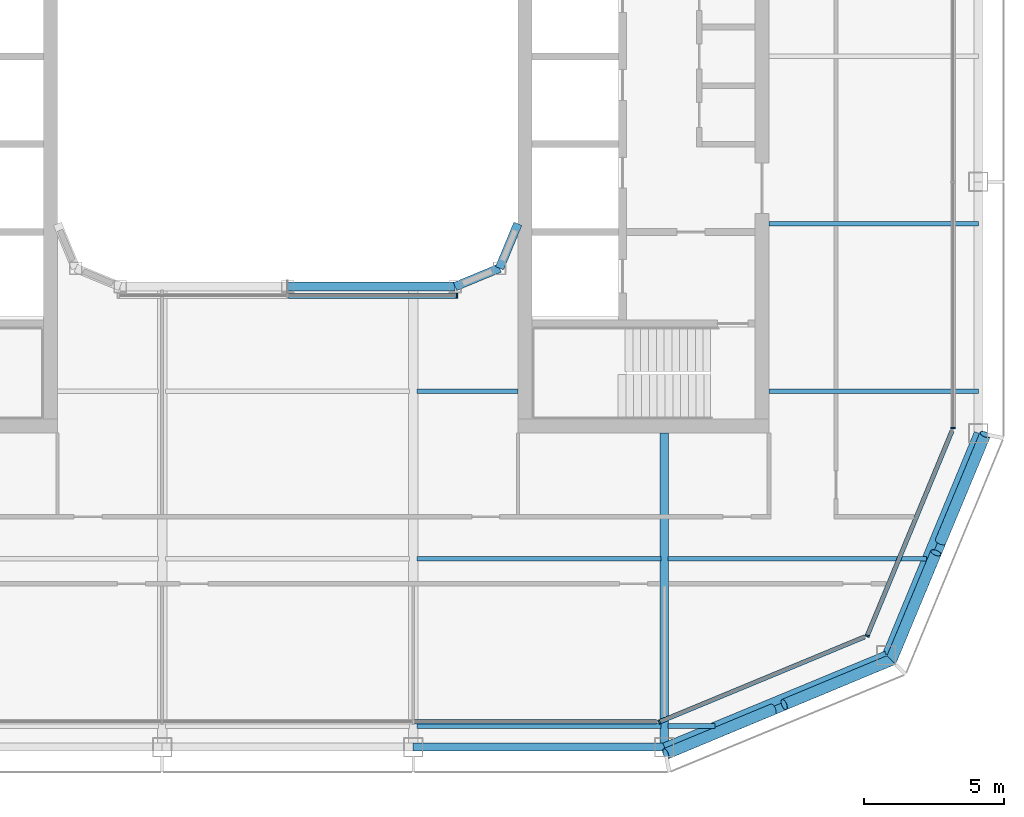
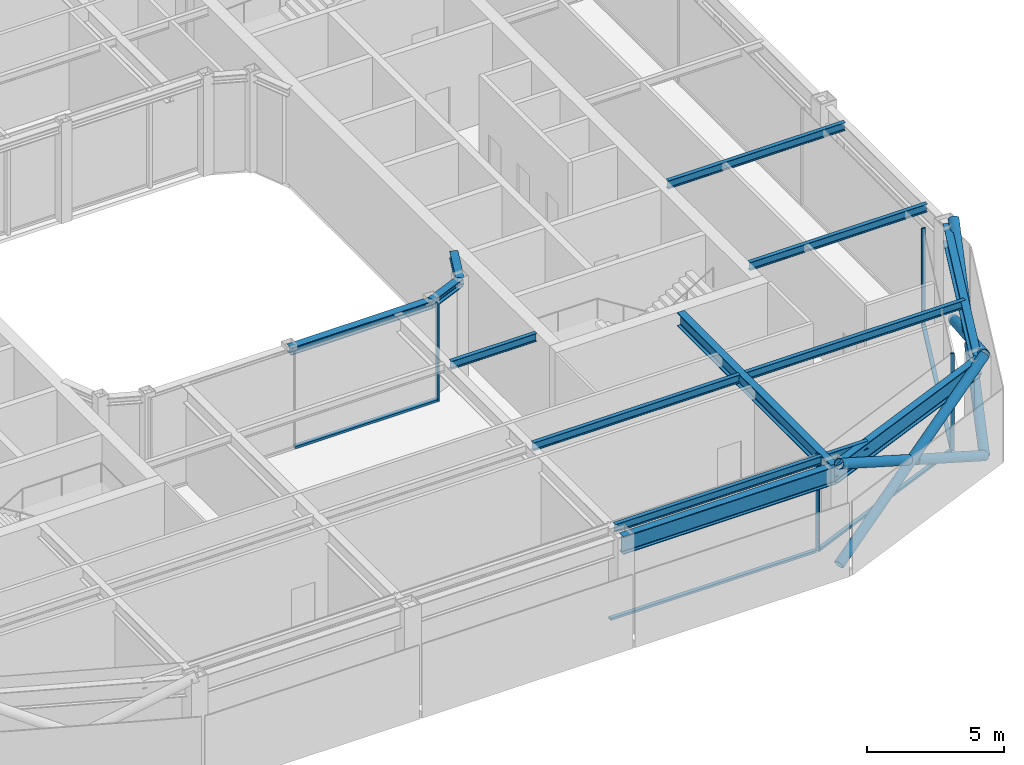
# One storey, part 5 of 18: 14 beams, 14 members, 5 elements without a shape of their own.
"""IFC4 building model written with IfcOpenShell, lengths in metres."""

from ifc_helpers import new_model, si_unit, direction, frame, origin, origin_2d, place, context, subcontext, project, spatial, rectangle, hollow_circle, i_section, extrude, material, layer, layer_set, material_profile, profile_set, type_object, element, aggregate, save


model = new_model("IFC4")

# Units and contexts
model_context = context("Model", 3, precision=1e-05, world=origin(), true_north=direction((0.0, 1.0)))
body_context = subcontext(model_context, "Body", "Model", "MODEL_VIEW")
ifc_project = project(units=[si_unit("LENGTHUNIT", "METRE"), si_unit("AREAUNIT", "SQUARE_METRE"), si_unit("VOLUMEUNIT", "CUBIC_METRE"), si_unit("PLANEANGLEUNIT", "RADIAN"), si_unit("MASSUNIT", "GRAM", prefix="KILO")], contexts=[model_context])

# Site, building, storey
site_placement = place(None, origin())
site = spatial("IfcSite", under=ifc_project, at=site_placement, CompositionType="ELEMENT")
building_placement = place(site_placement, origin())
building = spatial("IfcBuilding", under=site, at=building_placement, Name="Siwar Civic Tower", CompositionType="ELEMENT")
storey_placement = place(building_placement, frame((0.0, 0.0, 321.199951171875)))
storey = spatial("IfcBuildingStorey", under=building, at=storey_placement, Name="L69", CompositionType="ELEMENT", Elevation=321.199951171875)

# Curtain wall, member
ifc_material_1 = material(Name="Aluminium clad insulated panel", Category="aluminium")
ifc_layer_1 = layer(ifc_material_1, 0.159912109375)
ifc_layer_set_1 = layer_set([ifc_layer_1], Name="Aluminium clad insulated panel")
curtain_wall_type_1 = type_object("IfcCurtainWallType", Name="ENV-CW-DX", PredefinedType="NOTDEFINED", material=ifc_layer_set_1)
curtain_wall_1_placement = place(storey_placement, origin())
curtain_wall_1 = element("IfcCurtainWall", 1, at=curtain_wall_1_placement, inside=storey, type_object=curtain_wall_type_1, Name="Curtain wall D SE1", PredefinedType="NOTDEFINED")
ifc_material_2 = material(Name="Aluminium 6063-T6", Category="aluminium")
ifc_material_profile_1 = material_profile(ifc_material_2, rectangle(XDim=0.159912109375, YDim=0.06005859375, at=origin_2d()), Name="AL 160x60")
ifc_profile_set_1 = profile_set([ifc_material_profile_1], Name="Aluminium 6063-T6")
member_type_1 = type_object("IfcMemberType", Name="ENV-MULLION-D", PredefinedType="MULLION", material=ifc_profile_set_1)
member_1_placement = place(storey_placement, frame((13.321044921875, -23.85009765625, 0.0), z_axis=(0.0, 0.0, 1.0), x_axis=(-0.382683432365, 0.923879532511, 0.0)))
member_1 = element("IfcMember", 2, at=member_1_placement, type_object=member_type_1, Name="Mullion D SE1 1", PredefinedType="MULLION", context=body_context, shape_type="SweptSolid", body=[
    extrude(rectangle(XDim=0.159912109375, YDim=0.06005859375, at=origin_2d()), origin(), (0.0, 0.0, 1.0), 4.35009765625),
])

curtain_wall_2_placement = place(storey_placement, origin())
curtain_wall_2 = element("IfcCurtainWall", 3, at=curtain_wall_2_placement, inside=storey, type_object=curtain_wall_type_1, Name="Curtain wall D SE2", PredefinedType="NOTDEFINED")
member_2_placement = place(storey_placement, frame((20.76611328125, -20.76611328125, 0.0), z_axis=(0.0, 0.0, 1.0), x_axis=(-0.923879532511, 0.382683432365, 0.0)))
member_2 = element("IfcMember", 4, at=member_2_placement, type_object=member_type_1, Name="Mullion D SE2 1", PredefinedType="MULLION", context=body_context, shape_type="SweptSolid", body=[
    extrude(rectangle(XDim=0.159912109375, YDim=0.06005859375, at=origin_2d()), origin(), (0.0, 0.0, 1.0), 4.35009765625),
])

ifc_material_3 = material(Name="Aluminium and glass", Category="aluminium")
ifc_layer_2 = layer(ifc_material_3, 0.159912109375)
ifc_layer_set_2 = layer_set([ifc_layer_2], Name="Aluminium and glass")
curtain_wall_type_2 = type_object("IfcCurtainWallType", Name="ENV-CW-D", PredefinedType="NOTDEFINED", material=ifc_layer_set_2)
curtain_wall_3_placement = place(storey_placement, origin())
curtain_wall_3 = element("IfcCurtainWall", 5, at=curtain_wall_3_placement, inside=storey, type_object=curtain_wall_type_2, Name="Curtain wall D E", PredefinedType="NOTDEFINED")
member_3_placement = place(storey_placement, frame((23.85009765625, -13.321044921875, 0.0), z_axis=(0.0, 0.0, 1.0), x_axis=(-1.0, 0.0, 0.0)))
member_3 = element("IfcMember", 6, at=member_3_placement, type_object=member_type_1, Name="Mullion D E 1", PredefinedType="MULLION", context=body_context, shape_type="SweptSolid", body=[
    extrude(rectangle(XDim=0.159912109375, YDim=0.06005859375, at=origin_2d()), origin(), (0.0, 0.0, 1.0), 4.35009765625),
])
aggregate(curtain_wall_3, [member_3])

ifc_material_4 = material(Name="Aluminium and glass", Category="aluminium")
ifc_layer_3 = layer(ifc_material_4, 0.179931640625)
ifc_layer_set_3 = layer_set([ifc_layer_3], Name="Aluminium and glass")
curtain_wall_type_3 = type_object("IfcCurtainWallType", Name="ENV-CW-W", PredefinedType="NOTDEFINED", material=ifc_layer_set_3)
curtain_wall_4_placement = place(storey_placement, origin())
curtain_wall_4 = element("IfcCurtainWall", 7, at=curtain_wall_4_placement, inside=storey, type_object=curtain_wall_type_3, Name="Curtain wall W WS", PredefinedType="NOTDEFINED")
ifc_material_5 = material(Name="Aluminium 6063-T6", Category="aluminium")
ifc_material_profile_2 = material_profile(ifc_material_5, rectangle(XDim=0.179931640625, YDim=0.06005859375, at=origin_2d()), Name="AL 180x60")
ifc_profile_set_2 = profile_set([ifc_material_profile_2], Name="Aluminium 6063-T6")
member_type_2 = type_object("IfcMemberType", Name="ENV-MULLION-W", PredefinedType="MULLION", material=ifc_profile_set_2)
member_4_placement = place(storey_placement, frame((6.066650390625, -8.5849609375, 0.0), z_axis=(0.0, 0.0, 1.0), x_axis=(0.0, 1.0, 0.0)))
member_4 = element("IfcMember", 8, at=member_4_placement, type_object=member_type_2, Name="Mullion W WS 3", PredefinedType="MULLION", context=body_context, shape_type="SweptSolid", body=[
    extrude(rectangle(XDim=0.179931640625, YDim=0.06005859375, at=origin_2d()), origin(), (0.0, 0.0, 1.0), 4.35009765625),
])

curtain_wall_5_placement = place(storey_placement, origin())
curtain_wall_5 = element("IfcCurtainWall", 9, at=curtain_wall_5_placement, inside=storey, type_object=curtain_wall_type_2, Name="Curtain wall D S", PredefinedType="NOTDEFINED")
ifc_material_6 = material(Name="Aluminium 6063-T6", Category="aluminium")
ifc_material_profile_3 = material_profile(ifc_material_6, rectangle(XDim=0.159912109375, YDim=0.10009765625, at=origin_2d()), Name="AL 160x100")
ifc_profile_set_3 = profile_set([ifc_material_profile_3], Name="Aluminium 6063-T6")
member_type_3 = type_object("IfcMemberType", Name="ENV-TRANSOM-D", PredefinedType="USERDEFINED", material=ifc_profile_set_3)
member_5_placement = place(storey_placement, frame((4.530029296875, -23.85009765625, 0.050048828125), z_axis=(1.0, 0.0, 0.0), x_axis=(0.0, 1.0, 0.0)))
member_5 = element("IfcMember", 10, at=member_5_placement, type_object=member_type_3, Name="Transom D S 3", ObjectType="TRANSOM", PredefinedType="USERDEFINED", context=body_context, shape_type="SweptSolid", body=[
    extrude(rectangle(XDim=0.159912109375, YDim=0.10009765625, at=origin_2d()), origin(), (0.0, 0.0, 1.0), 8.693115234375),
])
aggregate(curtain_wall_5, [member_5])

# Member
member_6_placement = place(storey_placement, frame((13.3486328125, -23.838623046875, 0.050048828125), z_axis=(0.923872756612, 0.382699790424, 0.0), x_axis=(-0.382699790424, 0.923872756612, 0.0)))
member_6 = element("IfcMember", 11, at=member_6_placement, type_object=member_type_3, Name="Transom D SE1 1", ObjectType="TRANSOM", PredefinedType="USERDEFINED", context=body_context, shape_type="SweptSolid", body=[
    extrude(rectangle(XDim=0.159912109375, YDim=0.10009765625, at=origin_2d()), origin(), (0.0, 0.0, 1.0), 7.930908203125),
])

aggregate(curtain_wall_1, [member_1, member_6])

member_7_placement = place(storey_placement, frame((20.777587890625, -20.738525390625, 0.050048828125), z_axis=(0.382673515031, 0.923883640343, 0.0), x_axis=(-0.923883640343, 0.382673515031, 0.0)))
member_7 = element("IfcMember", 12, at=member_7_placement, type_object=member_type_3, Name="Transom D SE2 1", ObjectType="TRANSOM", PredefinedType="USERDEFINED", context=body_context, shape_type="SweptSolid", body=[
    extrude(rectangle(XDim=0.159912109375, YDim=0.10009765625, at=origin_2d()), origin(), (0.0, 0.0, 1.0), 7.930908203125),
])

aggregate(curtain_wall_2, [member_2, member_7])

ifc_material_7 = material(Name="Aluminium 6063-T6", Category="aluminium")
ifc_material_profile_4 = material_profile(ifc_material_7, rectangle(XDim=0.179931640625, YDim=0.10009765625, at=origin_2d()), Name="AL 180x100")
ifc_profile_set_4 = profile_set([ifc_material_profile_4], Name="Aluminium 6063-T6")
member_type_4 = type_object("IfcMemberType", Name="ENV-TRANSOM-W", PredefinedType="USERDEFINED", material=ifc_profile_set_4)
member_8_placement = place(storey_placement, frame((0.030029296875, -8.5849609375, 0.050048828125), z_axis=(1.0, 0.0, 0.0), x_axis=(0.0, 1.0, 0.0)))
member_8 = element("IfcMember", 13, at=member_8_placement, type_object=member_type_4, Name="Transom W WS 2", ObjectType="TRANSOM", PredefinedType="USERDEFINED", context=body_context, shape_type="SweptSolid", body=[
    extrude(rectangle(XDim=0.179931640625, YDim=0.10009765625, at=origin_2d()), origin(), (0.0, 0.0, 1.0), 6.006591796875),
])

aggregate(curtain_wall_4, [member_4, member_8])

# Members
ifc_material_8 = material(Name="Steel S355", Category="steel")
ifc_material_profile_5 = material_profile(ifc_material_8, hollow_circle(Radius=0.203125, WallThickness=0.01611328125, at=origin_2d()), Name="CHS406.4x16")
ifc_profile_set_5 = profile_set([ifc_material_profile_5], Name="Steel S355")
member_type_5 = type_object("IfcMemberType", Name="STR-BR-CHS406.4x16", PredefinedType="BRACE", material=ifc_profile_set_5)
member_9_placement = place(storey_placement, frame((24.9951171875, -13.548828125, 0.0), z_axis=(-0.341671493852, -0.821142553604, 0.457149315816), x_axis=(0.923264922524, -0.384163874976, 0.0)))
element("IfcMember", 14, at=member_9_placement, inside=storey, type_object=member_type_5, Name="L69/brc/DSE1-8-0-1", PredefinedType="BRACE", context=body_context, shape_type="SweptSolid", body=[
    extrude(hollow_circle(Radius=0.203125, WallThickness=0.01611328125, at=origin_2d()), origin(), (0.0, 0.0, 1.0), 9.843505859375),
])
member_10_placement = place(storey_placement, frame((21.6318359375, -21.6318359375, 0.0), z_axis=(0.341644380467, 0.821147096886, 0.457161418507), x_axis=(-0.923276488787, 0.38413607648, 0.0)))
element("IfcMember", 15, at=member_10_placement, inside=storey, type_object=member_type_5, Name="L69/brc/DSE1-8-0-2", PredefinedType="BRACE", context=body_context, shape_type="SweptSolid", body=[
    extrude(hollow_circle(Radius=0.203125, WallThickness=0.01611328125, at=origin_2d()), origin(), (0.0, 0.0, 1.0), 4.677001953125),
])
member_11_placement = place(storey_placement, frame((23.397216796875, -17.38916015625, 2.362060546875), z_axis=(0.341667178655, 0.821149689876, 0.457139722456), x_axis=(-0.923267827529, 0.384156893273, 0.0)))
element("IfcMember", 16, at=member_11_placement, inside=storey, type_object=member_type_5, Name="L69/brc/DSE1-8-0-3", PredefinedType="BRACE", context=body_context, shape_type="SweptSolid", body=[
    extrude(hollow_circle(Radius=0.203125, WallThickness=0.01611328125, at=origin_2d()), origin(), (0.0, 0.0, 1.0), 4.6767578125),
])
member_12_placement = place(storey_placement, frame((13.548828125, -24.9951171875, 0.0), z_axis=(0.821142553604, 0.341671493852, 0.457149315816), x_axis=(-0.384163874976, 0.923264922524, 0.0)))
element("IfcMember", 17, at=member_12_placement, inside=storey, type_object=member_type_5, Name="L69/brc/DSE1-8-0-0", PredefinedType="BRACE", context=body_context, shape_type="SweptSolid", body=[
    extrude(hollow_circle(Radius=0.203125, WallThickness=0.01611328125, at=origin_2d()), origin(), (0.0, 0.0, 1.0), 9.843505859375),
])
member_13_placement = place(storey_placement, frame((21.6318359375, -21.6318359375, 0.0), z_axis=(-0.821147096886, -0.341644380467, 0.457161418507), x_axis=(0.38413607648, -0.923276488787, 0.0)))
element("IfcMember", 18, at=member_13_placement, inside=storey, type_object=member_type_5, Name="L69/brc/DSE1-8-0-4", PredefinedType="BRACE", context=body_context, shape_type="SweptSolid", body=[
    extrude(hollow_circle(Radius=0.203125, WallThickness=0.01611328125, at=origin_2d()), origin(), (0.0, 0.0, 1.0), 4.677001953125),
])
member_14_placement = place(storey_placement, frame((17.38916015625, -23.397216796875, 2.362060546875), z_axis=(-0.821149689876, -0.341667178655, 0.457139722456), x_axis=(0.384156893273, -0.923267827529, 0.0)))
element("IfcMember", 19, at=member_14_placement, inside=storey, type_object=member_type_5, Name="L69/brc/DSE1-8-0-5", PredefinedType="BRACE", context=body_context, shape_type="SweptSolid", body=[
    extrude(hollow_circle(Radius=0.203125, WallThickness=0.01611328125, at=origin_2d()), origin(), (0.0, 0.0, 1.0), 4.6767578125),
])

# Beams
ifc_material_9 = material(Name="Steel S355", Category="steel")
ifc_material_profile_6 = material_profile(ifc_material_9, i_section(OverallWidth=0.169921875, OverallDepth=0.360107421875, WebThickness=0.008056640625, FlangeThickness=0.0126953125, FilletRadius=0.01806640625, at=origin_2d()), Name="IPE360")
ifc_profile_set_6 = profile_set([ifc_material_profile_6], Name="Steel S355")
beam_type_1 = type_object("IfcBeamType", Name="STR-FB-IPE360", PredefinedType="JOIST", material=ifc_profile_set_6)
beam_1_placement = place(storey_placement, frame((4.6298828125, -24.0, 4.170166015625), z_axis=(1.0, 0.0, 0.0), x_axis=(0.0, 1.0, 0.0)))
element("IfcBeam", 20, at=beam_1_placement, inside=storey, type_object=beam_type_1, Name="L69/bm/F004", PredefinedType="JOIST", context=body_context, shape_type="SweptSolid", body=[
    extrude(i_section(OverallWidth=0.169921875, OverallDepth=0.360107421875, WebThickness=0.008056640625, FlangeThickness=0.0126953125, FilletRadius=0.01806640625, at=origin_2d()), origin(), (0.0, 0.0, 1.0), 8.740234375),
])
beam_2_placement = place(storey_placement, frame((13.6298828125, -24.0, 4.170166015625), z_axis=(1.0, 0.0, 0.0), x_axis=(0.0, 1.0, 0.0)))
element("IfcBeam", 21, at=beam_2_placement, inside=storey, type_object=beam_type_1, Name="L69/bm/F005", PredefinedType="JOIST", context=body_context, shape_type="SweptSolid", body=[
    extrude(i_section(OverallWidth=0.169921875, OverallDepth=0.360107421875, WebThickness=0.008056640625, FlangeThickness=0.0126953125, FilletRadius=0.01806640625, at=origin_2d()), origin(), (0.0, 0.0, 1.0), 1.6806640625),
])
beam_3_placement = place(storey_placement, frame((4.6298828125, -18.0, 4.170166015625), z_axis=(1.0, 0.0, 0.0), x_axis=(0.0, 1.0, 0.0)))
element("IfcBeam", 22, at=beam_3_placement, inside=storey, type_object=beam_type_1, Name="L69/bm/F009", PredefinedType="JOIST", context=body_context, shape_type="SweptSolid", body=[
    extrude(i_section(OverallWidth=0.169921875, OverallDepth=0.360107421875, WebThickness=0.008056640625, FlangeThickness=0.0126953125, FilletRadius=0.01806640625, at=origin_2d()), origin(), (0.0, 0.0, 1.0), 8.740234375),
])
beam_4_placement = place(storey_placement, frame((13.6298828125, -18.0, 4.170166015625), z_axis=(1.0, 0.0, 0.0), x_axis=(0.0, 1.0, 0.0)))
element("IfcBeam", 23, at=beam_4_placement, inside=storey, type_object=beam_type_1, Name="L69/bm/F010", PredefinedType="JOIST", context=body_context, shape_type="SweptSolid", body=[
    extrude(i_section(OverallWidth=0.169921875, OverallDepth=0.360107421875, WebThickness=0.008056640625, FlangeThickness=0.0126953125, FilletRadius=0.01806640625, at=origin_2d()), origin(), (0.0, 0.0, 1.0), 9.256103515625),
])
beam_5_placement = place(storey_placement, frame((4.6298828125, -12.0, 4.170166015625), z_axis=(1.0, 0.0, 0.0), x_axis=(0.0, 1.0, 0.0)))
element("IfcBeam", 24, at=beam_5_placement, inside=storey, type_object=beam_type_1, Name="L69/bm/F014", PredefinedType="JOIST", context=body_context, shape_type="SweptSolid", body=[
    extrude(i_section(OverallWidth=0.169921875, OverallDepth=0.360107421875, WebThickness=0.008056640625, FlangeThickness=0.0126953125, FilletRadius=0.01806640625, at=origin_2d()), origin(), (0.0, 0.0, 1.0), 3.6201171875),
])
for number, where, z_axis, x_axis, name in (
    (25, (17.25, -12.0, 4.170166015625), (1.0, 0.0, 0.0), (0.0, 1.0, 0.0), "L69/bm/F015"),
    (26, (17.25, -6.0, 4.170166015625), (1.0, 0.0, 0.0), (0.0, 1.0, 0.0), "L69/bm/F017"),
):
    element("IfcBeam", number, at=place(storey_placement, frame(where, z_axis=z_axis, x_axis=x_axis)), inside=storey, type_object=beam_type_1, Name=name, PredefinedType="JOIST", context=body_context, shape_type="SweptSolid", body=[
        extrude(i_section(OverallWidth=0.169921875, OverallDepth=0.360107421875, WebThickness=0.008056640625, FlangeThickness=0.0126953125, FilletRadius=0.01806640625, at=origin_2d()), origin(), (0.0, 0.0, 1.0), 7.5),
    ])
ifc_material_10 = material(Name="Steel S355", Category="steel")
ifc_material_profile_7 = material_profile(ifc_material_10, i_section(OverallWidth=0.300048828125, OverallDepth=0.60009765625, WebThickness=0.015380859375, FlangeThickness=0.030029296875, FilletRadius=0.027099609375, at=origin_2d()), Name="HEB600")
ifc_profile_set_7 = profile_set([ifc_material_profile_7], Name="Steel S355")
beam_type_2 = type_object("IfcBeamType", Name="STR-PG-HEB600", PredefinedType="BEAM", material=ifc_profile_set_7)
beam_6_placement = place(storey_placement, frame((13.5, -24.75, 4.050048828125), z_axis=(0.0, 1.0, 0.0), x_axis=(-1.0, 0.0, 0.0)))
element("IfcBeam", 27, at=beam_6_placement, inside=storey, type_object=beam_type_2, Name="L69/bm/G07", PredefinedType="BEAM", context=body_context, shape_type="SweptSolid", body=[
    extrude(i_section(OverallWidth=0.300048828125, OverallDepth=0.60009765625, WebThickness=0.015380859375, FlangeThickness=0.030029296875, FilletRadius=0.027099609375, at=origin_2d()), origin(), (0.0, 0.0, 1.0), 11.25),
])
ifc_material_11 = material(Name="Steel S355", Category="steel")
ifc_material_profile_8 = material_profile(ifc_material_11, i_section(OverallWidth=0.31005859375, OverallDepth=0.340087890625, WebThickness=0.02099609375, FlangeThickness=0.0390625, FilletRadius=0.027099609375, at=origin_2d()), Name="HEM300")
ifc_profile_set_8 = profile_set([ifc_material_profile_8], Name="Steel S355")
beam_type_3 = type_object("IfcBeamType", Name="STR-RB-HEM300", PredefinedType="BEAM", material=ifc_profile_set_8)
beam_7_placement = place(storey_placement, frame((0.0, -8.25, 4.179931640625), z_axis=(1.0, 0.0, 0.0), x_axis=(0.0, 1.0, 0.0)))
element("IfcBeam", 28, at=beam_7_placement, inside=storey, type_object=beam_type_3, Name="L69/bm/RS2", PredefinedType="BEAM", context=body_context, shape_type="SweptSolid", body=[
    extrude(i_section(OverallWidth=0.31005859375, OverallDepth=0.340087890625, WebThickness=0.02099609375, FlangeThickness=0.0390625, FilletRadius=0.027099609375, at=origin_2d()), origin(), (0.0, 0.0, 1.0), 6.0),
])
for number, where, z_axis, x_axis, name in (
    (29, (6.0, -8.25, 4.179931640625), (0.923901072997, 0.382631424892, 0.0), (-0.382631424892, 0.923901072997, 0.0), "L69/bm/RS3"),
    (30, (7.591064453125, -7.591064453125, 4.179931640625), (0.382631424892, 0.923901072997, 0.0), (-0.923901072997, 0.382631424892, 0.0), "L69/bm/RSEE"),
):
    element("IfcBeam", number, at=place(storey_placement, frame(where, z_axis=z_axis, x_axis=x_axis)), inside=storey, type_object=beam_type_3, Name=name, PredefinedType="BEAM", context=body_context, shape_type="SweptSolid", body=[
        extrude(i_section(OverallWidth=0.31005859375, OverallDepth=0.340087890625, WebThickness=0.02099609375, FlangeThickness=0.0390625, FilletRadius=0.027099609375, at=origin_2d()), origin(), (0.0, 0.0, 1.0), 1.72216796875),
    ])
ifc_material_12 = material(Name="Steel S355", Category="steel")
ifc_material_profile_9 = material_profile(ifc_material_12, i_section(OverallWidth=0.300048828125, OverallDepth=0.800048828125, WebThickness=0.017578125, FlangeThickness=0.032958984375, FilletRadius=0.030029296875, at=origin_2d()), Name="HEB800")
ifc_profile_set_9 = profile_set([ifc_material_profile_9], Name="Steel S355")
beam_type_4 = type_object("IfcBeamType", Name="STR-SB-HEB800", PredefinedType="BEAM", material=ifc_profile_set_9)
beam_8_placement = place(storey_placement, frame((4.5, -24.75, 3.949951171875), z_axis=(1.0, 0.0, 0.0), x_axis=(0.0, 1.0, 0.0)))
element("IfcBeam", 31, at=beam_8_placement, inside=storey, type_object=beam_type_4, Name="L69/bm/SS-2", PredefinedType="BEAM", context=body_context, shape_type="SweptSolid", body=[
    extrude(i_section(OverallWidth=0.300048828125, OverallDepth=0.800048828125, WebThickness=0.017578125, FlangeThickness=0.032958984375, FilletRadius=0.030029296875, at=origin_2d()), origin(), (0.0, 0.0, 1.0), 9.0),
])
for number, where, z_axis, x_axis, name in (
    (32, (13.5, -24.75, 3.949951171875), (0.923872720536, 0.382699877515, 0.0), (-0.382699877515, 0.923872720536, 0.0), "L69/bm/SSE1-0"),
    (33, (21.454833984375, -21.454833984375, 3.949951171875), (0.382699877515, 0.923872720536, 0.0), (-0.923872720536, 0.382699877515, 0.0), "L69/bm/SSE2-0"),
):
    element("IfcBeam", number, at=place(storey_placement, frame(where, z_axis=z_axis, x_axis=x_axis)), inside=storey, type_object=beam_type_4, Name=name, PredefinedType="BEAM", context=body_context, shape_type="SweptSolid", body=[
        extrude(i_section(OverallWidth=0.300048828125, OverallDepth=0.800048828125, WebThickness=0.017578125, FlangeThickness=0.032958984375, FilletRadius=0.030029296875, at=origin_2d()), origin(), (0.0, 0.0, 1.0), 8.6103515625),
    ])

save(model, "model.ifc")
